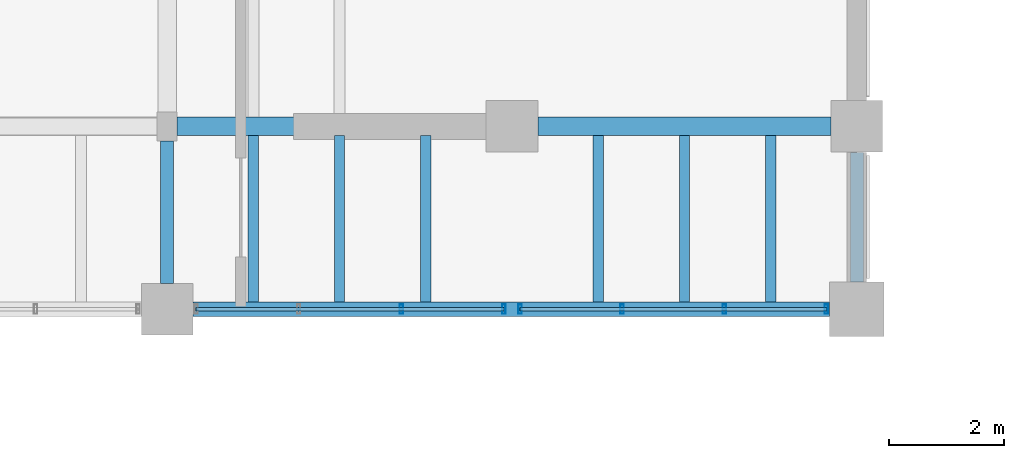
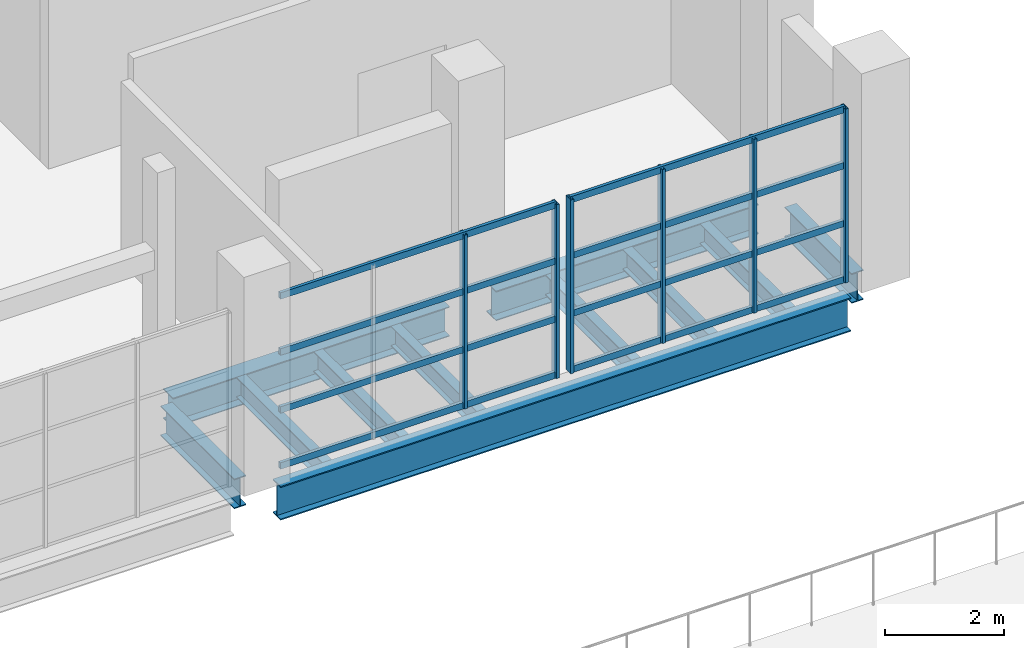
# One storey, part 43 of 78: 14 members, 11 beams, 2 elements without a shape of their own.
"""IFC4 building model written with IfcOpenShell, lengths in metres."""

from ifc_helpers import new_model, si_unit, direction, frame, origin, origin_2d, place, context, subcontext, project, spatial, hollow_rectangle, i_section, extrude, material, material_profile, profile_set, type_object, element, aggregate, save


model = new_model("IFC4")

# Units and contexts
model_context = context("Model", 3, precision=1e-05, world=origin(), true_north=direction((0.0, 1.0)))
body_context = subcontext(model_context, "Body", "Model", "MODEL_VIEW")
ifc_project = project(units=[si_unit("LENGTHUNIT", "METRE"), si_unit("AREAUNIT", "SQUARE_METRE"), si_unit("VOLUMEUNIT", "CUBIC_METRE"), si_unit("PLANEANGLEUNIT", "RADIAN"), si_unit("MASSUNIT", "GRAM", prefix="KILO")], contexts=[model_context])

# Site, building, storey
site_placement = place(None, origin())
site = spatial("IfcSite", under=ifc_project, at=site_placement, CompositionType="ELEMENT")
building_placement = place(site_placement, origin())
building = spatial("IfcBuilding", under=site, at=building_placement, Name="Kelmvaro Bay Concert Hall", CompositionType="ELEMENT")
storey_placement = place(building_placement, frame((0.0, 0.0, 9.300048828125)))
storey = spatial("IfcBuildingStorey", under=building, at=storey_placement, Name="L02", CompositionType="ELEMENT", Elevation=9.300048828125)

# Beams
ifc_material_1 = material(Name="Steel ASTM A992 Grade 50", Category="steel")
ifc_material_profile_1 = material_profile(ifc_material_1, i_section(OverallWidth=0.323974609375, OverallDepth=0.611083984375, WebThickness=0.0126953125, FlangeThickness=0.01904296875, at=origin_2d()), Name="W24X104")
ifc_profile_set_1 = profile_set([ifc_material_profile_1], Name="Steel ASTM A992 Grade 50")
beam_type_1 = type_object("IfcBeamType", Name="Foyer Frame Girder W24x104", PredefinedType="BEAM", material=ifc_profile_set_1)
beam_1_placement = place(storey_placement, frame((48.175048828125, 68.580078125, -0.60546875), z_axis=(1.0, 0.0, 0.0), x_axis=(0.0, 1.0, 0.0)))
element("IfcBeam", 1, at=beam_1_placement, inside=storey, type_object=beam_type_1, Name="L02 Girder BM-L02-EW-0762", PredefinedType="BEAM", context=body_context, shape_type="SweptSolid", body=[
    extrude(i_section(OverallWidth=0.323974609375, OverallDepth=0.611083984375, WebThickness=0.0126953125, FlangeThickness=0.01904296875, at=origin_2d()), origin(), (0.0, 0.0, 1.0), 5.375),
])
beam_2_placement = place(storey_placement, frame((54.449951171875, 68.580078125, -0.60546875), z_axis=(1.0, 0.0, 0.0), x_axis=(0.0, 1.0, 0.0)))
element("IfcBeam", 2, at=beam_2_placement, inside=storey, type_object=beam_type_1, Name="L02 Girder BM-L02-EW-0763", PredefinedType="BEAM", context=body_context, shape_type="SweptSolid", body=[
    extrude(i_section(OverallWidth=0.323974609375, OverallDepth=0.611083984375, WebThickness=0.0126953125, FlangeThickness=0.01904296875, at=origin_2d()), origin(), (0.0, 0.0, 1.0), 5.10009765625),
])
ifc_material_2 = material(Name="Steel ASTM A992 Grade 50", Category="steel")
ifc_material_profile_2 = material_profile(ifc_material_2, i_section(OverallWidth=0.256103515625, OverallDepth=0.693115234375, WebThickness=0.014404296875, FlangeThickness=0.023681640625, at=origin_2d()), Name="W27X114")
ifc_profile_set_2 = profile_set([ifc_material_profile_2], Name="Steel ASTM A992 Grade 50")
beam_type_2 = type_object("IfcBeamType", Name="Foyer Primary Girder W27x114", PredefinedType="BEAM", material=ifc_profile_set_2)
beam_3_placement = place(storey_placement, frame((48.449951171875, 65.39990234375, -0.646484375), z_axis=(1.0, 0.0, 0.0), x_axis=(0.0, 1.0, 0.0)))
element("IfcBeam", 3, at=beam_3_placement, inside=storey, type_object=beam_type_2, Name="L02 Girder BM-L02-EW-0753", PredefinedType="BEAM", context=body_context, shape_type="SweptSolid", body=[
    extrude(i_section(OverallWidth=0.256103515625, OverallDepth=0.693115234375, WebThickness=0.014404296875, FlangeThickness=0.023681640625, at=origin_2d()), origin(), (0.0, 0.0, 1.0), 11.074951171875),
])

# Curtain wall, members
ifc_material_3 = material(Name="Anodised Aluminium and Low-E Insulated Glazing", Category="aluminium")
curtain_wall_type = type_object("IfcCurtainWallType", Name="Symphony South Gallery Curtain Wall 3920", PredefinedType="USERDEFINED", material=ifc_material_3)
curtain_wall_1_placement = place(storey_placement, origin())
curtain_wall_1 = element("IfcCurtainWall", 4, at=curtain_wall_1_placement, inside=storey, type_object=curtain_wall_type, Name="Unitised Curtain Wall CW-L02-018", ObjectType="UNITISED GLAZING", PredefinedType="USERDEFINED")
ifc_material_4 = material(Name="Anodised Extruded Aluminium 6063-T6", Category="aluminium")
ifc_material_profile_3 = material_profile(ifc_material_4, hollow_rectangle(XDim=0.06005859375, YDim=0.1650390625, WallThickness=0.00390625, at=origin_2d()), Name="ALU-MUL-165X60")
ifc_profile_set_3 = profile_set([ifc_material_profile_3], Name="Anodised Extruded Aluminium 6063-T6")
member_type_1 = type_object("IfcMemberType", Name="Gallery Mullion ALU 165x60", PredefinedType="MULLION", material=ifc_profile_set_3)
member_1_placement = place(storey_placement, frame((53.860107421875, 65.39990234375, 0.0), z_axis=(0.0, 0.0, 1.0), x_axis=(1.0, 0.0, 0.0)))
member_1 = element("IfcMember", 5, at=member_1_placement, type_object=member_type_1, Name="CW-L02-018 Mullion 01", PredefinedType="MULLION", context=body_context, shape_type="SweptSolid", body=[
    extrude(hollow_rectangle(XDim=0.06005859375, YDim=0.1650390625, WallThickness=0.00390625, at=origin_2d()), origin(), (0.0, 0.0, 1.0), 3.56884765625),
])
member_2_placement = place(storey_placement, frame((52.074951171875, 65.39990234375, 0.0), z_axis=(0.0, 0.0, 1.0), x_axis=(1.0, 0.0, 0.0)))
member_2 = element("IfcMember", 6, at=member_2_placement, type_object=member_type_1, Name="CW-L02-018 Mullion 02", PredefinedType="MULLION", context=body_context, shape_type="SweptSolid", body=[
    extrude(hollow_rectangle(XDim=0.06005859375, YDim=0.1650390625, WallThickness=0.00390625, at=origin_2d()), origin(), (0.0, 0.0, 1.0), 3.56884765625),
])

curtain_wall_2_placement = place(storey_placement, origin())
curtain_wall_2 = element("IfcCurtainWall", 7, at=curtain_wall_2_placement, inside=storey, type_object=curtain_wall_type, Name="Unitised Curtain Wall CW-L02-019", ObjectType="UNITISED GLAZING", PredefinedType="USERDEFINED")
member_3_placement = place(storey_placement, frame((59.469970703125, 65.39990234375, 0.0), z_axis=(0.0, 0.0, 1.0), x_axis=(1.0, 0.0, 0.0)))
member_3 = element("IfcMember", 8, at=member_3_placement, type_object=member_type_1, Name="CW-L02-019 Mullion 01", PredefinedType="MULLION", context=body_context, shape_type="SweptSolid", body=[
    extrude(hollow_rectangle(XDim=0.06005859375, YDim=0.1650390625, WallThickness=0.00390625, at=origin_2d()), origin(), (0.0, 0.0, 1.0), 3.56884765625),
])
member_4_placement = place(storey_placement, frame((57.693359375, 65.39990234375, 0.0), z_axis=(0.0, 0.0, 1.0), x_axis=(1.0, 0.0, 0.0)))
member_4 = element("IfcMember", 9, at=member_4_placement, type_object=member_type_1, Name="CW-L02-019 Mullion 02", PredefinedType="MULLION", context=body_context, shape_type="SweptSolid", body=[
    extrude(hollow_rectangle(XDim=0.06005859375, YDim=0.1650390625, WallThickness=0.00390625, at=origin_2d()), origin(), (0.0, 0.0, 1.0), 3.56884765625),
])
member_5_placement = place(storey_placement, frame((55.916748046875, 65.39990234375, 0.0), z_axis=(0.0, 0.0, 1.0), x_axis=(1.0, 0.0, 0.0)))
member_5 = element("IfcMember", 10, at=member_5_placement, type_object=member_type_1, Name="CW-L02-019 Mullion 03", PredefinedType="MULLION", context=body_context, shape_type="SweptSolid", body=[
    extrude(hollow_rectangle(XDim=0.06005859375, YDim=0.1650390625, WallThickness=0.00390625, at=origin_2d()), origin(), (0.0, 0.0, 1.0), 3.56884765625),
])
member_6_placement = place(storey_placement, frame((54.139892578125, 65.39990234375, 0.0), z_axis=(0.0, 0.0, 1.0), x_axis=(1.0, 0.0, 0.0)))
member_6 = element("IfcMember", 11, at=member_6_placement, type_object=member_type_1, Name="CW-L02-019 Mullion 04", PredefinedType="MULLION", context=body_context, shape_type="SweptSolid", body=[
    extrude(hollow_rectangle(XDim=0.06005859375, YDim=0.1650390625, WallThickness=0.00390625, at=origin_2d()), origin(), (0.0, 0.0, 1.0), 3.56884765625),
])

# Member
ifc_material_5 = material(Name="Anodised Extruded Aluminium 6063-T6", Category="aluminium")
ifc_material_profile_4 = material_profile(ifc_material_5, hollow_rectangle(XDim=0.06005859375, YDim=0.135009765625, WallThickness=0.00390625, at=origin_2d()), Name="ALU-TRN-135X60")
ifc_profile_set_4 = profile_set([ifc_material_profile_4], Name="Anodised Extruded Aluminium 6063-T6")
member_type_2 = type_object("IfcMemberType", Name="Gallery Transom ALU 135x60", PredefinedType="USERDEFINED", material=ifc_profile_set_4)
member_7_placement = place(storey_placement, frame((53.860107421875, 65.39990234375, 0.0400390625), z_axis=(-1.0, 0.0, 0.0), x_axis=(0.0, -1.0, 0.0)))
member_7 = element("IfcMember", 12, at=member_7_placement, type_object=member_type_2, Name="CW-L02-018 Transom 01", ObjectType="TRANSOM", PredefinedType="USERDEFINED", context=body_context, shape_type="SweptSolid", body=[
    extrude(hollow_rectangle(XDim=0.06005859375, YDim=0.135009765625, WallThickness=0.00390625, at=origin_2d()), origin(), (0.0, 0.0, 1.0), 5.355224609375),
])

member_8_placement = place(storey_placement, frame((53.860107421875, 65.39990234375, 1.189697265625), z_axis=(-1.0, 0.0, 0.0), x_axis=(0.0, -1.0, 0.0)))
member_8 = element("IfcMember", 13, at=member_8_placement, type_object=member_type_2, Name="CW-L02-018 Transom 02", ObjectType="TRANSOM", PredefinedType="USERDEFINED", context=body_context, shape_type="SweptSolid", body=[
    extrude(hollow_rectangle(XDim=0.06005859375, YDim=0.135009765625, WallThickness=0.00390625, at=origin_2d()), origin(), (0.0, 0.0, 1.0), 5.355224609375),
])

member_9_placement = place(storey_placement, frame((53.860107421875, 65.39990234375, 2.379150390625), z_axis=(-1.0, 0.0, 0.0), x_axis=(0.0, -1.0, 0.0)))
member_9 = element("IfcMember", 14, at=member_9_placement, type_object=member_type_2, Name="CW-L02-018 Transom 03", ObjectType="TRANSOM", PredefinedType="USERDEFINED", context=body_context, shape_type="SweptSolid", body=[
    extrude(hollow_rectangle(XDim=0.06005859375, YDim=0.135009765625, WallThickness=0.00390625, at=origin_2d()), origin(), (0.0, 0.0, 1.0), 5.355224609375),
])

member_10_placement = place(storey_placement, frame((53.860107421875, 65.39990234375, 3.529052734375), z_axis=(-1.0, 0.0, 0.0), x_axis=(0.0, -1.0, 0.0)))
member_10 = element("IfcMember", 15, at=member_10_placement, type_object=member_type_2, Name="CW-L02-018 Transom 04", ObjectType="TRANSOM", PredefinedType="USERDEFINED", context=body_context, shape_type="SweptSolid", body=[
    extrude(hollow_rectangle(XDim=0.06005859375, YDim=0.135009765625, WallThickness=0.00390625, at=origin_2d()), origin(), (0.0, 0.0, 1.0), 5.355224609375),
])

aggregate(curtain_wall_1, [member_1, member_2, member_7, member_8, member_9, member_10])

member_11_placement = place(storey_placement, frame((59.469970703125, 65.39990234375, 0.0400390625), z_axis=(-1.0, 0.0, 0.0), x_axis=(0.0, -1.0, 0.0)))
member_11 = element("IfcMember", 16, at=member_11_placement, type_object=member_type_2, Name="CW-L02-019 Transom 01", ObjectType="TRANSOM", PredefinedType="USERDEFINED", context=body_context, shape_type="SweptSolid", body=[
    extrude(hollow_rectangle(XDim=0.06005859375, YDim=0.135009765625, WallThickness=0.00390625, at=origin_2d()), origin(), (0.0, 0.0, 1.0), 5.330078125),
])

member_12_placement = place(storey_placement, frame((59.469970703125, 65.39990234375, 1.189697265625), z_axis=(-1.0, 0.0, 0.0), x_axis=(0.0, -1.0, 0.0)))
member_12 = element("IfcMember", 17, at=member_12_placement, type_object=member_type_2, Name="CW-L02-019 Transom 02", ObjectType="TRANSOM", PredefinedType="USERDEFINED", context=body_context, shape_type="SweptSolid", body=[
    extrude(hollow_rectangle(XDim=0.06005859375, YDim=0.135009765625, WallThickness=0.00390625, at=origin_2d()), origin(), (0.0, 0.0, 1.0), 5.330078125),
])

member_13_placement = place(storey_placement, frame((59.469970703125, 65.39990234375, 2.379150390625), z_axis=(-1.0, 0.0, 0.0), x_axis=(0.0, -1.0, 0.0)))
member_13 = element("IfcMember", 18, at=member_13_placement, type_object=member_type_2, Name="CW-L02-019 Transom 03", ObjectType="TRANSOM", PredefinedType="USERDEFINED", context=body_context, shape_type="SweptSolid", body=[
    extrude(hollow_rectangle(XDim=0.06005859375, YDim=0.135009765625, WallThickness=0.00390625, at=origin_2d()), origin(), (0.0, 0.0, 1.0), 5.330078125),
])

member_14_placement = place(storey_placement, frame((59.469970703125, 65.39990234375, 3.529052734375), z_axis=(-1.0, 0.0, 0.0), x_axis=(0.0, -1.0, 0.0)))
member_14 = element("IfcMember", 19, at=member_14_placement, type_object=member_type_2, Name="CW-L02-019 Transom 04", ObjectType="TRANSOM", PredefinedType="USERDEFINED", context=body_context, shape_type="SweptSolid", body=[
    extrude(hollow_rectangle(XDim=0.06005859375, YDim=0.135009765625, WallThickness=0.00390625, at=origin_2d()), origin(), (0.0, 0.0, 1.0), 5.330078125),
])

aggregate(curtain_wall_2, [member_3, member_4, member_5, member_6, member_11, member_12, member_13, member_14])

# Beams
ifc_material_6 = material(Name="Steel ASTM A992 Grade 50", Category="steel")
ifc_material_profile_5 = material_profile(ifc_material_6, i_section(OverallWidth=0.179931640625, OverallDepth=0.4140625, WebThickness=0.009765625, FlangeThickness=0.01611328125, at=origin_2d()), Name="W16X50")
ifc_profile_set_5 = profile_set([ifc_material_profile_5], Name="Steel ASTM A992 Grade 50")
beam_type_3 = type_object("IfcBeamType", Name="Terrace Composite Joist W16x50", PredefinedType="JOIST", material=ifc_profile_set_5)
for number, where, z_axis, x_axis, name in (
    (20, (49.5, 65.528076171875, -0.507080078125), (0.0, 1.0, 0.0), (-1.0, 0.0, 0.0), "L02 Floor Joist JST-L02-1216"),
    (21, (51.0, 65.528076171875, -0.507080078125), (0.0, 1.0, 0.0), (-1.0, 0.0, 0.0), "L02 Floor Joist JST-L02-1217"),
    (22, (52.5, 65.528076171875, -0.507080078125), (0.0, 1.0, 0.0), (-1.0, 0.0, 0.0), "L02 Floor Joist JST-L02-1218"),
    (23, (55.5, 65.528076171875, -0.507080078125), (0.0, 1.0, 0.0), (-1.0, 0.0, 0.0), "L02 Floor Joist JST-L02-1219"),
    (24, (57.0, 65.528076171875, -0.507080078125), (0.0, 1.0, 0.0), (-1.0, 0.0, 0.0), "L02 Floor Joist JST-L02-1220"),
    (25, (58.5, 65.528076171875, -0.507080078125), (0.0, 1.0, 0.0), (-1.0, 0.0, 0.0), "L02 Floor Joist JST-L02-1221"),
):
    element("IfcBeam", number, at=place(storey_placement, frame(where, z_axis=z_axis, x_axis=x_axis)), inside=storey, type_object=beam_type_3, Name=name, PredefinedType="JOIST", context=body_context, shape_type="SweptSolid", body=[
        extrude(i_section(OverallWidth=0.179931640625, OverallDepth=0.4140625, WebThickness=0.009765625, FlangeThickness=0.01611328125, at=origin_2d()), origin(), (0.0, 0.0, 1.0), 2.889892578125),
    ])
ifc_material_7 = material(Name="Steel ASTM A992 Grade 50", Category="steel")
ifc_material_profile_6 = material_profile(ifc_material_7, i_section(OverallWidth=0.22900390625, OverallDepth=0.612060546875, WebThickness=0.011962890625, FlangeThickness=0.01953125, at=origin_2d()), Name="W24X84")
ifc_profile_set_6 = profile_set([ifc_material_profile_6], Name="Steel ASTM A992 Grade 50")
beam_type_4 = type_object("IfcBeamType", Name="Terrace Edge Girder W24x84", PredefinedType="BEAM", material=ifc_profile_set_6)
beam_4_placement = place(storey_placement, frame((48.0, 65.85009765625, -0.60595703125), z_axis=(0.0, 1.0, 0.0), x_axis=(-1.0, 0.0, 0.0)))
element("IfcBeam", 26, at=beam_4_placement, inside=storey, type_object=beam_type_4, Name="L02 Girder BM-L02-NS-0827", PredefinedType="BEAM", context=body_context, shape_type="SweptSolid", body=[
    extrude(i_section(OverallWidth=0.22900390625, OverallDepth=0.612060546875, WebThickness=0.011962890625, FlangeThickness=0.01953125, at=origin_2d()), origin(), (0.0, 0.0, 1.0), 2.47998046875),
])
beam_5_placement = place(storey_placement, frame((60.0, 65.875, -0.60595703125), z_axis=(0.0, 1.0, 0.0), x_axis=(-1.0, 0.0, 0.0)))
element("IfcBeam", 27, at=beam_5_placement, inside=storey, type_object=beam_type_4, Name="L02 Girder BM-L02-NS-0836", PredefinedType="BEAM", context=body_context, shape_type="SweptSolid", body=[
    extrude(i_section(OverallWidth=0.22900390625, OverallDepth=0.612060546875, WebThickness=0.011962890625, FlangeThickness=0.01953125, at=origin_2d()), origin(), (0.0, 0.0, 1.0), 2.2548828125),
])

save(model, "model.ifc")
